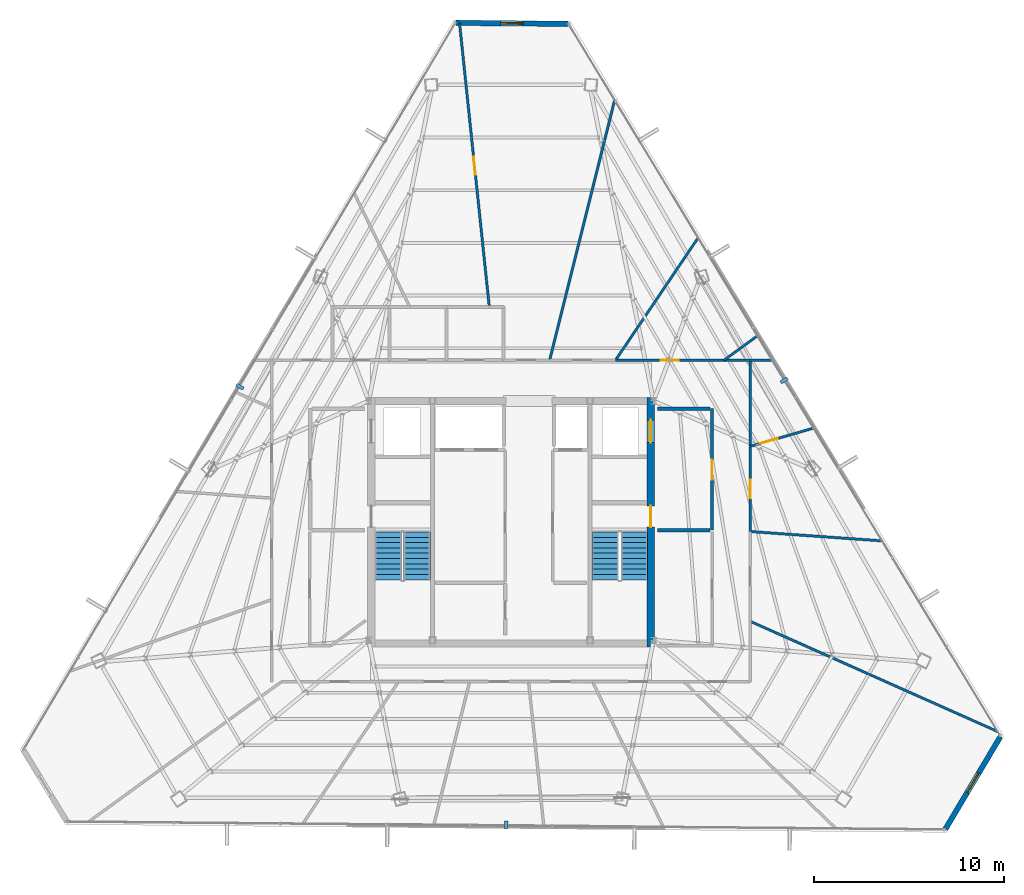
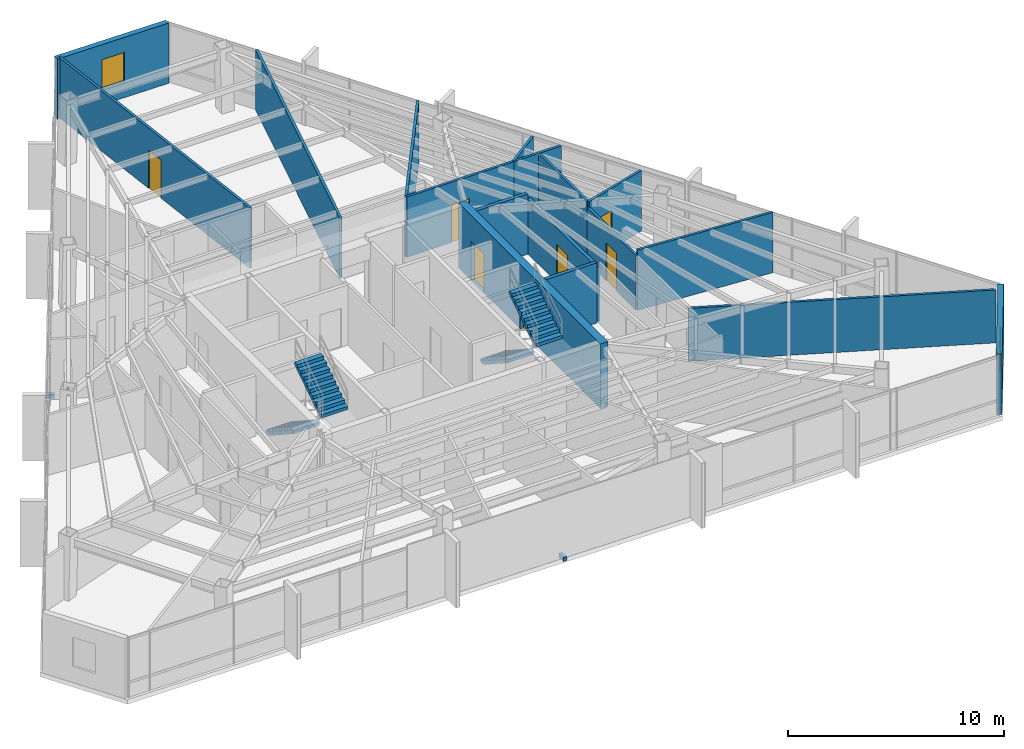
# One storey, part 42 of 45: 17 walls, 7 doors, 4 stair flights, 3 discrete accessories, 2 windows, 9 openings, 2 elements without a shape of their own.
"""IFC4 building model written with IfcOpenShell, lengths in metres."""

from ifc_helpers import new_model, si_unit, direction, frame, frame_2d, origin, origin_2d, place, context, subcontext, project, spatial, polyline, rectangle, outline, extrude, source, transform, mapped, material, layer, layer_set, type_object, type_shapes, element, fill, aggregate, save


model = new_model("IFC4")

# Units and contexts
model_context = context("Model", 3, precision=1e-05, world=origin(), true_north=direction((0.0, 1.0)))
body_context = subcontext(model_context, "Body", "Model", "MODEL_VIEW")
ifc_project = project(units=[si_unit("LENGTHUNIT", "METRE"), si_unit("AREAUNIT", "SQUARE_METRE"), si_unit("VOLUMEUNIT", "CUBIC_METRE"), si_unit("PLANEANGLEUNIT", "RADIAN"), si_unit("MASSUNIT", "GRAM", prefix="KILO")], contexts=[model_context])

# Site, building, storey
site_placement = place(None, origin())
site = spatial("IfcSite", under=ifc_project, at=site_placement, CompositionType="ELEMENT")
building_placement = place(site_placement, origin())
building = spatial("IfcBuilding", under=site, at=building_placement, Name="Caelisora Broadcast Tower", CompositionType="ELEMENT")
storey_placement = place(building_placement, frame((0.0, 0.0, 240.800048828125)))
storey = spatial("IfcBuildingStorey", under=building, at=storey_placement, Name="L63", CompositionType="ELEMENT", Elevation=240.800048828125)

# Wall, openings, doors
ifc_material_1 = material(Name="Concrete 40 MPa (AS 3600 N40)", Category="concrete")
ifc_layer_1 = layer(ifc_material_1, 0.39990234375, Name="Concrete 40 MPa (AS 3600 N40)")
ifc_layer_set_1 = layer_set([ifc_layer_1], Name="Concrete 40 MPa (AS 3600 N40)")
wall_type_1 = type_object("IfcWallType", Name="CW3", PredefinedType="SHEAR", material=ifc_layer_set_1)
wall_1_placement = place(storey_placement, frame((45.360107421875, 17.050048828125, 0.0), z_axis=(0.0, 0.0, 1.0), x_axis=(0.0, 1.0, 0.0)))
wall_1 = element("IfcWall", 1, at=wall_1_placement, inside=storey, type_object=wall_type_1, Name="L63 core shear wall CW3", PredefinedType="SHEAR", context=body_context, shape_type="SweptSolid", body=[
    extrude(rectangle(XDim=13.125, YDim=0.39990234375, at=frame_2d((6.5625, 0.0))), origin(), (0.0, 0.0, 1.0), 3.64990234375),
])
opening_1_placement = place(wall_1_placement, frame((6.300048828125, 0.0, 0.0)))
opening_1 = element("IfcOpeningElement", 2, at=opening_1_placement, cuts=wall_1, Name="Opening FD04", PredefinedType="OPENING", context=body_context, shape_type="SweptSolid", body=[
    extrude(rectangle(XDim=1.1201171875, YDim=2.14990234375, at=frame_2d((0.56005859375, 1.074951171875))), frame((0.0, 0.2119140625, 0.0), z_axis=(0.0, -1.0, 0.0), x_axis=(1.0, 0.0, 0.0)), (0.0, 0.0, 1.0), 0.423828125),
])
opening_2_placement = place(wall_1_placement, frame((10.75, 0.0, 0.0)))
opening_2 = element("IfcOpeningElement", 3, at=opening_2_placement, cuts=wall_1, Name="Opening LD04", PredefinedType="OPENING", context=body_context, shape_type="SweptSolid", body=[
    extrude(rectangle(XDim=1.199951171875, YDim=2.199951171875, at=frame_2d((0.60009765625, 1.10009765625))), frame((0.0, 0.2119140625, 0.0), z_axis=(0.0, -1.0, 0.0), x_axis=(1.0, 0.0, 0.0)), (0.0, 0.0, 1.0), 0.423828125),
])
ifc_material_2 = material(Name="Pressurised Fire-Isolated Stair Door", Category="steel")
door_type_1 = type_object("IfcDoorType", Name="FD04", OperationType="NOTDEFINED", PredefinedType="DOOR", material=ifc_material_2)
door_1_placement = place(opening_1_placement, origin())
door_1 = element("IfcDoor", 4, at=door_1_placement, inside=storey, type_object=door_type_1, Name="L63 door FD04 (L63-DR-ST2)", OperationType="SINGLE_SWING_RIGHT", OverallHeight=2.14990234375, OverallWidth=1.1201171875, PredefinedType="DOOR", context=body_context, shape_type="SweptSolid", body=[
    extrude(rectangle(XDim=1.1201171875, YDim=2.14990234375, at=frame_2d((0.56005859375, 1.074951171875))), frame((0.0, 0.02490234375, 0.0), z_axis=(0.0, -1.0, 0.0), x_axis=(1.0, 0.0, 0.0)), (0.0, 0.0, 1.0), 0.050048828125),
])
fill(opening_1, door_1)
ifc_material_3 = material(Name="Emergency Firefighting Lift Sliding Landing Door", Category="steel")
door_type_2 = type_object("IfcDoorType", Name="LD04", OperationType="NOTDEFINED", PredefinedType="DOOR", material=ifc_material_3)
door_2_placement = place(opening_2_placement, origin())
door_2 = element("IfcDoor", 5, at=door_2_placement, inside=storey, type_object=door_type_2, Name="L63 door LD04 (L63-LD-FFL2)", OperationType="SLIDING_TO_RIGHT", OverallHeight=2.199951171875, OverallWidth=1.199951171875, PredefinedType="DOOR", context=body_context, shape_type="SweptSolid", body=[
    extrude(rectangle(XDim=1.199951171875, YDim=2.199951171875, at=frame_2d((0.60009765625, 1.10009765625))), frame((0.0, 0.02490234375, 0.0), z_axis=(0.0, -1.0, 0.0), x_axis=(1.0, 0.0, 0.0)), (0.0, 0.0, 1.0), 0.050048828125),
])
fill(opening_2, door_2)

# Wall, opening, window
ifc_material_4 = material(Name="Insulated Terracotta Spandrel Wall System", Category="masonry")
ifc_layer_2 = layer(ifc_material_4, 0.280029296875, Name="Insulated Terracotta Spandrel Wall System")
ifc_layer_set_2 = layer_set([ifc_layer_2], Name="Insulated Terracotta Spandrel Wall System")
wall_type_2 = type_object("IfcWallType", Name="EW1", PredefinedType="STANDARD", material=ifc_layer_set_2)
wall_2_placement = place(storey_placement, frame((63.772705078125, 12.315185546875, 0.0), z_axis=(0.0, 0.0, 1.0), x_axis=(-0.511101207507, -0.859520538257, 0.0)))
wall_2 = element("IfcWall", 6, at=wall_2_placement, inside=storey, type_object=wall_type_2, Name="L63 exterior envelope wall EW1", PredefinedType="STANDARD", context=body_context, shape_type="SweptSolid", body=[
    extrude(rectangle(XDim=5.665283203125, YDim=0.280029296875, at=frame_2d((2.83251953125, 0.0))), origin(), (0.0, 0.0, 1.0), 3.39990234375),
])
opening_3_placement = place(wall_2_placement, frame((2.22998046875, 0.0, 0.89990234375)))
opening_3 = element("IfcOpeningElement", 7, at=opening_3_placement, cuts=wall_2, Name="Opening W03", PredefinedType="OPENING", context=body_context, shape_type="SweptSolid", body=[
    extrude(rectangle(XDim=1.199951171875, YDim=1.64990234375, at=frame_2d((0.60009765625, 0.824951171875))), frame((0.0, 0.152099609375, 0.0), z_axis=(0.0, -1.0, 0.0), x_axis=(1.0, 0.0, 0.0)), (0.0, 0.0, 1.0), 0.303955078125),
])
ifc_material_5 = material(Name="Double Glazed Corner Vision Window", Category="glass")
window_type = type_object("IfcWindowType", Name="W03", PartitioningType="SINGLE_PANEL", PredefinedType="WINDOW", material=ifc_material_5)
window_1_placement = place(opening_3_placement, origin())
window_1 = element("IfcWindow", 8, at=window_1_placement, inside=storey, type_object=window_type, Name="L63 window W03 (L63-WN-CH0)", OverallHeight=1.64990234375, OverallWidth=1.199951171875, PartitioningType="SINGLE_PANEL", PredefinedType="WINDOW", context=body_context, shape_type="SweptSolid", body=[
    extrude(rectangle(XDim=1.199951171875, YDim=1.64990234375, at=frame_2d((0.60009765625, 0.824951171875))), frame((0.0, 0.030029296875, 0.0), z_axis=(0.0, -1.0, 0.0), x_axis=(1.0, 0.0, 0.0)), (0.0, 0.0, 1.0), 0.06005859375),
])
fill(opening_3, window_1)

wall_3_placement = place(storey_placement, frame((35.09912109375, 49.916748046875, 0.0), z_axis=(0.0, 0.0, 1.0), x_axis=(0.99996038652, -0.008900864582, 0.0)))
wall_3 = element("IfcWall", 9, at=wall_3_placement, inside=storey, type_object=wall_type_2, Name="L63 exterior envelope wall EW1", PredefinedType="STANDARD", context=body_context, shape_type="SweptSolid", body=[
    extrude(rectangle(XDim=5.897216796875, YDim=0.280029296875, at=frame_2d((2.94873046875, 0.0))), origin(), (0.0, 0.0, 1.0), 3.39990234375),
])
opening_4_placement = place(wall_3_placement, frame((2.35009765625, 0.0, 0.89990234375)))
opening_4 = element("IfcOpeningElement", 10, at=opening_4_placement, cuts=wall_3, Name="Opening W03", PredefinedType="OPENING", context=body_context, shape_type="SweptSolid", body=[
    extrude(rectangle(XDim=1.199951171875, YDim=1.64990234375, at=frame_2d((0.60009765625, 0.824951171875))), frame((0.0, 0.152099609375, 0.0), z_axis=(0.0, -1.0, 0.0), x_axis=(1.0, 0.0, 0.0)), (0.0, 0.0, 1.0), 0.303955078125),
])
window_2_placement = place(opening_4_placement, origin())
window_2 = element("IfcWindow", 11, at=window_2_placement, inside=storey, type_object=window_type, Name="L63 window W03 (L63-WN-CH8)", OverallHeight=1.64990234375, OverallWidth=1.199951171875, PartitioningType="SINGLE_PANEL", PredefinedType="WINDOW", context=body_context, shape_type="SweptSolid", body=[
    extrude(rectangle(XDim=1.199951171875, YDim=1.64990234375, at=frame_2d((0.60009765625, 0.824951171875))), frame((0.0, 0.030029296875, 0.0), z_axis=(0.0, -1.0, 0.0), x_axis=(1.0, 0.0, 0.0)), (0.0, 0.0, 1.0), 0.06005859375),
])
fill(opening_4, window_2)

# Wall, opening, door
ifc_material_6 = material(Name="Fire-Rated Gypsum Shaft and Compartment Wall", Category="gypsum")
ifc_layer_3 = layer(ifc_material_6, 0.179931640625, Name="Fire-Rated Gypsum Shaft and Compartment Wall")
ifc_layer_set_3 = layer_set([ifc_layer_3], Name="Fire-Rated Gypsum Shaft and Compartment Wall")
wall_type_3 = type_object("IfcWallType", Name="PW2", PredefinedType="PARTITIONING", material=ifc_layer_set_3)
wall_4_placement = place(storey_placement, frame((48.580078125, 23.199951171875, 0.0), z_axis=(0.0, 0.0, 1.0), x_axis=(0.0, 1.0, 0.0)))
wall_4 = element("IfcWall", 12, at=wall_4_placement, inside=storey, type_object=wall_type_3, Name="L63 fire compartment wall PW2", PredefinedType="PARTITIONING", context=body_context, shape_type="SweptSolid", body=[
    extrude(rectangle(XDim=6.400146484375, YDim=0.179931640625, at=frame_2d((3.2001953125, 0.0))), origin(), (0.0, 0.0, 1.0), 3.0849609375),
])
opening_5_placement = place(wall_4_placement, frame((2.64990234375, 0.0, 0.0)))
opening_5 = element("IfcOpeningElement", 13, at=opening_5_placement, cuts=wall_4, Name="Opening FD02", PredefinedType="OPENING", context=body_context, shape_type="SweptSolid", body=[
    extrude(rectangle(XDim=1.050048828125, YDim=2.14990234375, at=frame_2d((0.52490234375, 1.074951171875))), frame((0.0, 0.10205078125, 0.0), z_axis=(0.0, -1.0, 0.0), x_axis=(1.0, 0.0, 0.0)), (0.0, 0.0, 1.0), 0.203857421875),
])
ifc_material_7 = material(Name="Single-Leaf Steel Fire Lobby Door", Category="steel")
door_type_3 = type_object("IfcDoorType", Name="FD02", OperationType="NOTDEFINED", PredefinedType="DOOR", material=ifc_material_7)
door_3_placement = place(opening_5_placement, origin())
door_3 = element("IfcDoor", 14, at=door_3_placement, inside=storey, type_object=door_type_3, Name="L63 door FD02 (L63-DR-P04D1)", OperationType="SINGLE_SWING_LEFT", OverallHeight=2.14990234375, OverallWidth=1.050048828125, PredefinedType="DOOR", context=body_context, shape_type="SweptSolid", body=[
    extrude(rectangle(XDim=1.050048828125, YDim=2.14990234375, at=frame_2d((0.52490234375, 1.074951171875))), frame((0.0, 0.02490234375, 0.0), z_axis=(0.0, -1.0, 0.0), x_axis=(1.0, 0.0, 0.0)), (0.0, 0.0, 1.0), 0.050048828125),
])
fill(opening_5, door_3)

# Walls
for number, where, z_axis, x_axis, name in (
    (15, (45.719970703125, 23.199951171875, 0.0), (0.0, 0.0, 1.0), (1.0, 0.0, 0.0), "L63 fire compartment wall PW2"),
    (16, (45.719970703125, 29.60009765625, 0.0), (0.0, 0.0, 1.0), (1.0, 0.0, 0.0), "L63 fire compartment wall PW2"),
):
    element("IfcWall", number, at=place(storey_placement, frame(where, z_axis=z_axis, x_axis=x_axis)), inside=storey, type_object=wall_type_3, Name=name, PredefinedType="PARTITIONING", context=body_context, shape_type="SweptSolid", body=[
        extrude(rectangle(XDim=2.760009765625, YDim=0.179931640625, at=frame_2d((1.3798828125, 0.0))), origin(), (0.0, 0.0, 1.0), 3.39990234375),
    ])

# Wall, opening, door
ifc_material_8 = material(Name="Acoustic Steel-Stud Plasterboard Partition", Category="gypsum")
ifc_layer_4 = layer(ifc_material_8, 0.1298828125, Name="Acoustic Steel-Stud Plasterboard Partition")
ifc_layer_set_4 = layer_set([ifc_layer_4], Name="Acoustic Steel-Stud Plasterboard Partition")
wall_type_4 = type_object("IfcWallType", Name="PW3", PredefinedType="PARTITIONING", material=ifc_layer_set_4)
wall_5_placement = place(storey_placement, frame((35.280517578125, 49.92041015625, 0.0), z_axis=(0.0, 0.0, 1.0), x_axis=(0.104244747086, -0.994551674226, 0.0)))
wall_5 = element("IfcWall", 17, at=wall_5_placement, inside=storey, type_object=wall_type_4, Name="L63 internal partition PW3", PredefinedType="PARTITIONING", context=body_context, shape_type="SweptSolid", body=[
    extrude(rectangle(XDim=15.04736328125, YDim=0.1298828125, at=frame_2d((7.523681640625, 0.0))), origin(), (0.0, 0.0, 1.0), 3.39990234375),
])
opening_6_placement = place(wall_5_placement, frame((7.093994140625, 0.0, 0.0)))
opening_6 = element("IfcOpeningElement", 18, at=opening_6_placement, cuts=wall_5, Name="Opening D01", PredefinedType="OPENING", context=body_context, shape_type="SweptSolid", body=[
    extrude(rectangle(XDim=0.9599609375, YDim=2.14990234375, at=frame_2d((0.47998046875, 1.074951171875))), frame((0.0, 0.076904296875, 0.0), z_axis=(0.0, -1.0, 0.0), x_axis=(1.0, 0.0, 0.0)), (0.0, 0.0, 1.0), 0.15380859375),
])
ifc_material_9 = material(Name="Solid-Core Timber Acoustic Office Door", Category="wood")
door_type_4 = type_object("IfcDoorType", Name="D01", OperationType="NOTDEFINED", PredefinedType="DOOR", material=ifc_material_9)
door_4_placement = place(opening_6_placement, origin())
door_4 = element("IfcDoor", 19, at=door_4_placement, inside=storey, type_object=door_type_4, Name="L63 door D01 (L63-DR-P26D1)", OperationType="SINGLE_SWING_RIGHT", OverallHeight=2.14990234375, OverallWidth=0.9599609375, PredefinedType="DOOR", context=body_context, shape_type="SweptSolid", body=[
    extrude(rectangle(XDim=0.9599609375, YDim=2.14990234375, at=frame_2d((0.47998046875, 1.074951171875))), frame((0.0, 0.02490234375, 0.0), z_axis=(0.0, -1.0, 0.0), x_axis=(1.0, 0.0, 0.0)), (0.0, 0.0, 1.0), 0.050048828125),
])
fill(opening_6, door_4)

# Walls
wall_6_placement = place(storey_placement, frame((50.60498046875, 18.387939453125, 0.0), z_axis=(0.0, 0.0, 1.0), x_axis=(0.913463696919, -0.406920231018, 0.0)))
element("IfcWall", 20, at=wall_6_placement, inside=storey, type_object=wall_type_4, Name="L63 internal partition PW3", PredefinedType="PARTITIONING", context=body_context, shape_type="SweptSolid", body=[
    extrude(rectangle(XDim=14.2822265625, YDim=0.1298828125, at=frame_2d((7.14111328125, 0.0))), origin(), (0.0, 0.0, 1.0), 2.98486328125),
])
wall_7_placement = place(storey_placement, frame((40.031005859375, 32.155029296875, 0.0), z_axis=(0.0, 0.0, 1.0), x_axis=(0.242393363261, 0.970178054507, 0.0)))
element("IfcWall", 21, at=wall_7_placement, inside=storey, type_object=wall_type_4, Name="L63 internal partition PW3", PredefinedType="PARTITIONING", context=body_context, shape_type="SweptSolid", body=[
    extrude(rectangle(XDim=14.133056640625, YDim=0.1298828125, at=frame_2d((7.06640625, 0.0))), origin(), (0.0, 0.0, 1.0), 3.39990234375),
])
wall_8_placement = place(storey_placement, frame((43.5029296875, 32.154052734375, 0.0), z_axis=(0.0, 0.0, 1.0), x_axis=(0.559336089138, 0.82894097461, 0.0)))
element("IfcWall", 22, at=wall_8_placement, inside=storey, type_object=wall_type_4, Name="L63 internal partition PW3", PredefinedType="PARTITIONING", context=body_context, shape_type="SweptSolid", body=[
    extrude(rectangle(XDim=7.787841796875, YDim=0.1298828125, at=frame_2d((3.89404296875, 0.0))), origin(), (0.0, 0.0, 1.0), 3.39990234375),
])
wall_9_placement = place(storey_placement, frame((50.60498046875, 23.1201171875, 0.0), z_axis=(0.0, 0.0, 1.0), x_axis=(0.997503333861, -0.070619394903, 0.0)))
element("IfcWall", 23, at=wall_9_placement, inside=storey, type_object=wall_type_4, Name="L63 internal partition PW3", PredefinedType="PARTITIONING", context=body_context, shape_type="SweptSolid", body=[
    extrude(rectangle(XDim=6.966064453125, YDim=0.1298828125, at=frame_2d((3.48291015625, 0.0))), origin(), (0.0, 0.0, 1.0), 3.39990234375),
])

# Wall, opening, door
wall_10_placement = place(storey_placement, frame((43.5048828125, 32.14990234375, 0.0), z_axis=(0.0, 0.0, 1.0), x_axis=(1.0, 0.0, 0.0)))
wall_10 = element("IfcWall", 24, at=wall_10_placement, inside=storey, type_object=wall_type_4, Name="L63 internal partition PW3", PredefinedType="PARTITIONING", context=body_context, shape_type="SweptSolid", body=[
    extrude(rectangle(XDim=5.710205078125, YDim=0.1298828125, at=frame_2d((2.85498046875, 0.0))), origin(), (0.0, 0.0, 1.0), 3.39990234375),
])
opening_7_placement = place(wall_10_placement, frame((2.375, 0.0, 0.0)))
opening_7 = element("IfcOpeningElement", 25, at=opening_7_placement, cuts=wall_10, Name="Opening D01", PredefinedType="OPENING", context=body_context, shape_type="SweptSolid", body=[
    extrude(rectangle(XDim=0.9599609375, YDim=2.14990234375, at=frame_2d((0.47998046875, 1.074951171875))), frame((0.0, 0.076904296875, 0.0), z_axis=(0.0, -1.0, 0.0), x_axis=(1.0, 0.0, 0.0)), (0.0, 0.0, 1.0), 0.15380859375),
])
door_5_placement = place(opening_7_placement, origin())
door_5 = element("IfcDoor", 26, at=door_5_placement, inside=storey, type_object=door_type_4, Name="L63 door D01 (L63-DR-P44D1)", OperationType="SINGLE_SWING_RIGHT", OverallHeight=2.14990234375, OverallWidth=0.9599609375, PredefinedType="DOOR", context=body_context, shape_type="SweptSolid", body=[
    extrude(rectangle(XDim=0.9599609375, YDim=2.14990234375, at=frame_2d((0.47998046875, 1.074951171875))), frame((0.0, 0.02490234375, 0.0), z_axis=(0.0, -1.0, 0.0), x_axis=(1.0, 0.0, 0.0)), (0.0, 0.0, 1.0), 0.050048828125),
])
fill(opening_7, door_5)

# Wall
wall_11_placement = place(storey_placement, frame((50.60009765625, 27.614990234375, 0.0), z_axis=(0.0, 0.0, 1.0), x_axis=(0.0, 1.0, 0.0)))
element("IfcWall", 27, at=wall_11_placement, inside=storey, type_object=wall_type_4, Name="L63 internal partition PW3", PredefinedType="PARTITIONING", context=body_context, shape_type="SweptSolid", body=[
    extrude(rectangle(XDim=4.530029296875, YDim=0.1298828125, at=frame_2d((2.26513671875, 0.0))), origin(), (0.0, 0.0, 1.0), 3.39990234375),
])

# Wall, opening, door
wall_12_placement = place(storey_placement, frame((50.60009765625, 23.125, 0.0), z_axis=(0.0, 0.0, 1.0), x_axis=(0.0, 1.0, 0.0)))
wall_12 = element("IfcWall", 28, at=wall_12_placement, inside=storey, type_object=wall_type_4, Name="L63 internal partition PW3", PredefinedType="PARTITIONING", context=body_context, shape_type="SweptSolid", body=[
    extrude(rectangle(XDim=4.47998046875, YDim=0.1298828125, at=frame_2d((2.239990234375, 0.0))), origin(), (0.0, 0.0, 1.0), 3.0849609375),
])
opening_8_placement = place(wall_12_placement, frame((1.760009765625, 0.0, 0.0)))
opening_8 = element("IfcOpeningElement", 29, at=opening_8_placement, cuts=wall_12, Name="Opening D01", PredefinedType="OPENING", context=body_context, shape_type="SweptSolid", body=[
    extrude(rectangle(XDim=0.9599609375, YDim=2.14990234375, at=frame_2d((0.47998046875, 1.074951171875))), frame((0.0, 0.076904296875, 0.0), z_axis=(0.0, -1.0, 0.0), x_axis=(1.0, 0.0, 0.0)), (0.0, 0.0, 1.0), 0.15380859375),
])
door_6_placement = place(opening_8_placement, origin())
door_6 = element("IfcDoor", 30, at=door_6_placement, inside=storey, type_object=door_type_4, Name="L63 door D01 (L63-DR-P51D1)", OperationType="SINGLE_SWING_LEFT", OverallHeight=2.14990234375, OverallWidth=0.9599609375, PredefinedType="DOOR", context=body_context, shape_type="SweptSolid", body=[
    extrude(rectangle(XDim=0.9599609375, YDim=2.14990234375, at=frame_2d((0.47998046875, 1.074951171875))), frame((0.0, 0.02490234375, 0.0), z_axis=(0.0, -1.0, 0.0), x_axis=(1.0, 0.0, 0.0)), (0.0, 0.0, 1.0), 0.050048828125),
])
fill(opening_8, door_6)

wall_13_placement = place(storey_placement, frame((50.60498046875, 27.611083984375, 0.0), z_axis=(0.0, 0.0, 1.0), x_axis=(0.960973714416, 0.276639693829, 0.0)))
wall_13 = element("IfcWall", 31, at=wall_13_placement, inside=storey, type_object=wall_type_4, Name="L63 internal partition PW3", PredefinedType="PARTITIONING", context=body_context, shape_type="SweptSolid", body=[
    extrude(rectangle(XDim=3.47802734375, YDim=0.1298828125, at=frame_2d((1.739013671875, 0.0))), origin(), (0.0, 0.0, 1.0), 3.39990234375),
])
opening_9_placement = place(wall_13_placement, frame((0.5400390625, 0.0, 0.0)))
opening_9 = element("IfcOpeningElement", 32, at=opening_9_placement, cuts=wall_13, Name="Opening D01", PredefinedType="OPENING", context=body_context, shape_type="SweptSolid", body=[
    extrude(rectangle(XDim=0.9599609375, YDim=2.14990234375, at=frame_2d((0.47998046875, 1.074951171875))), frame((0.0, 0.076904296875, 0.0), z_axis=(0.0, -1.0, 0.0), x_axis=(1.0, 0.0, 0.0)), (0.0, 0.0, 1.0), 0.15380859375),
])
door_7_placement = place(opening_9_placement, origin())
door_7 = element("IfcDoor", 33, at=door_7_placement, inside=storey, type_object=door_type_4, Name="L63 door D01 (L63-DR-P54D1)", OperationType="SINGLE_SWING_RIGHT", OverallHeight=2.14990234375, OverallWidth=0.9599609375, PredefinedType="DOOR", context=body_context, shape_type="SweptSolid", body=[
    extrude(rectangle(XDim=0.9599609375, YDim=2.14990234375, at=frame_2d((0.47998046875, 1.074951171875))), frame((0.0, 0.02490234375, 0.0), z_axis=(0.0, -1.0, 0.0), x_axis=(1.0, 0.0, 0.0)), (0.0, 0.0, 1.0), 0.050048828125),
])
fill(opening_9, door_7)

# Walls
wall_14_placement = place(storey_placement, frame((49.22412109375, 32.153076171875, 0.0), z_axis=(0.0, 0.0, 1.0), x_axis=(0.807799558399, 0.58945727025, 0.0)))
element("IfcWall", 34, at=wall_14_placement, inside=storey, type_object=wall_type_4, Name="L63 internal partition PW3", PredefinedType="PARTITIONING", context=body_context, shape_type="SweptSolid", body=[
    extrude(rectangle(XDim=2.189453125, YDim=0.1298828125, at=frame_2d((1.0947265625, 0.0))), origin(), (0.0, 0.0, 1.0), 3.39990234375),
])
wall_15_placement = place(storey_placement, frame((51.751708984375, 32.14990234375, 0.0), z_axis=(0.0, 0.0, 1.0), x_axis=(-1.0, 0.0, 0.0)))
element("IfcWall", 35, at=wall_15_placement, inside=storey, type_object=wall_type_4, Name="L63 internal partition PW3", PredefinedType="PARTITIONING", context=body_context, shape_type="SweptSolid", body=[
    extrude(rectangle(XDim=2.526611328125, YDim=0.1298828125, at=frame_2d((1.26318359375, 0.0))), origin(), (0.0, 0.0, 1.0), 3.39990234375),
])

# Stair, stair flights
stair_type_1 = type_object("IfcStairType", Name="ST-1", PredefinedType="HALF_TURN_STAIR", material=ifc_material_1)
stair_1_placement = place(storey_placement, origin())
stair_1 = element("IfcStair", 36, at=stair_1_placement, inside=storey, type_object=stair_type_1, Name="L63 West Fire-Isolated Tower Stair", PredefinedType="HALF_TURN_STAIR")
stair_flight_type = type_object("IfcStairFlightType", Name="STF-4", PredefinedType="STRAIGHT", material=ifc_material_1)
stair_flight_1_placement = place(storey_placement, frame((31.52001953125, 23.10009765625, 0.0), z_axis=(0.0, 0.0, 1.0), x_axis=(0.0, -1.0, 0.0)))
stair_flight_1 = element("IfcStairFlight", 37, at=stair_flight_1_placement, type_object=stair_flight_type, Name="ST-1 flight 1", NumberOfRisers=10, NumberOfTreads=9, PredefinedType="STRAIGHT", RiserHeight=0.1825, TreadLength=0.28, context=body_context, shape_type="SweptSolid", body=[
    extrude(outline(polyline([(0.0, 0.0), (0.0, 0.1826171875), (0.280029296875, 0.1826171875), (0.280029296875, 0.364990234375), (0.56005859375, 0.364990234375), (0.56005859375, 0.547607421875), (0.840087890625, 0.547607421875), (0.840087890625, 0.72998046875), (1.1201171875, 0.72998046875), (1.1201171875, 0.91259765625), (1.39990234375, 0.91259765625), (1.39990234375, 1.094970703125), (1.679931640625, 1.094970703125), (1.679931640625, 1.277587890625), (1.9599609375, 1.277587890625), (1.9599609375, 1.4599609375), (2.239990234375, 1.4599609375), (2.239990234375, 1.642578125), (2.52001953125, 1.642578125), (2.52001953125, 1.824951171875), (2.52001953125, 1.463623046875), (0.2744140625, 0.0), (0.0, 0.0)])), frame((0.0, 0.699951171875, 0.0), z_axis=(0.0, -1.0, 0.0), x_axis=(1.0, 0.0, 0.0)), (0.0, 0.0, 1.0), 1.39990234375),
])
stair_flight_2_placement = place(storey_placement, frame((33.0400390625, 20.580078125, 1.824951171875), z_axis=(0.0, 0.0, 1.0), x_axis=(0.0, 1.0, 0.0)))
stair_flight_2 = element("IfcStairFlight", 38, at=stair_flight_2_placement, type_object=stair_flight_type, Name="ST-1 flight 2", NumberOfRisers=10, NumberOfTreads=9, PredefinedType="STRAIGHT", RiserHeight=0.1825, TreadLength=0.28, context=body_context, shape_type="SweptSolid", body=[
    extrude(outline(polyline([(0.0, 0.0), (0.0, 0.1826171875), (0.280029296875, 0.1826171875), (0.280029296875, 0.364990234375), (0.56005859375, 0.364990234375), (0.56005859375, 0.547607421875), (0.840087890625, 0.547607421875), (0.840087890625, 0.72998046875), (1.1201171875, 0.72998046875), (1.1201171875, 0.91259765625), (1.39990234375, 0.91259765625), (1.39990234375, 1.094970703125), (1.679931640625, 1.094970703125), (1.679931640625, 1.277587890625), (1.9599609375, 1.277587890625), (1.9599609375, 1.4599609375), (2.239990234375, 1.4599609375), (2.239990234375, 1.642578125), (2.52001953125, 1.642578125), (2.52001953125, 1.824951171875), (2.52001953125, 1.463623046875), (0.2744140625, 0.0), (0.0, 0.0)])), frame((0.0, 0.699951171875, 0.0), z_axis=(0.0, -1.0, 0.0), x_axis=(1.0, 0.0, 0.0)), (0.0, 0.0, 1.0), 1.39990234375),
])
aggregate(stair_1, [stair_flight_1, stair_flight_2])

stair_type_2 = type_object("IfcStairType", Name="ST-2", PredefinedType="HALF_TURN_STAIR", material=ifc_material_1)
stair_2_placement = place(storey_placement, origin())
stair_2 = element("IfcStair", 39, at=stair_2_placement, inside=storey, type_object=stair_type_2, Name="L63 East Fire-Isolated Tower Stair", PredefinedType="HALF_TURN_STAIR")
stair_flight_3_placement = place(storey_placement, frame((42.9599609375, 23.10009765625, 0.0), z_axis=(0.0, 0.0, 1.0), x_axis=(0.0, -1.0, 0.0)))
stair_flight_3 = element("IfcStairFlight", 40, at=stair_flight_3_placement, type_object=stair_flight_type, Name="ST-2 flight 1", NumberOfRisers=10, NumberOfTreads=9, PredefinedType="STRAIGHT", RiserHeight=0.1825, TreadLength=0.28, context=body_context, shape_type="SweptSolid", body=[
    extrude(outline(polyline([(0.0, 0.0), (0.0, 0.1826171875), (0.280029296875, 0.1826171875), (0.280029296875, 0.364990234375), (0.56005859375, 0.364990234375), (0.56005859375, 0.547607421875), (0.840087890625, 0.547607421875), (0.840087890625, 0.72998046875), (1.1201171875, 0.72998046875), (1.1201171875, 0.91259765625), (1.39990234375, 0.91259765625), (1.39990234375, 1.094970703125), (1.679931640625, 1.094970703125), (1.679931640625, 1.277587890625), (1.9599609375, 1.277587890625), (1.9599609375, 1.4599609375), (2.239990234375, 1.4599609375), (2.239990234375, 1.642578125), (2.52001953125, 1.642578125), (2.52001953125, 1.824951171875), (2.52001953125, 1.463623046875), (0.2744140625, 0.0), (0.0, 0.0)])), frame((0.0, 0.699951171875, 0.0), z_axis=(0.0, -1.0, 0.0), x_axis=(1.0, 0.0, 0.0)), (0.0, 0.0, 1.0), 1.39990234375),
])
stair_flight_4_placement = place(storey_placement, frame((44.47998046875, 20.580078125, 1.824951171875), z_axis=(0.0, 0.0, 1.0), x_axis=(0.0, 1.0, 0.0)))
stair_flight_4 = element("IfcStairFlight", 41, at=stair_flight_4_placement, type_object=stair_flight_type, Name="ST-2 flight 2", NumberOfRisers=10, NumberOfTreads=9, PredefinedType="STRAIGHT", RiserHeight=0.1825, TreadLength=0.28, context=body_context, shape_type="SweptSolid", body=[
    extrude(outline(polyline([(0.0, 0.0), (0.0, 0.1826171875), (0.280029296875, 0.1826171875), (0.280029296875, 0.364990234375), (0.56005859375, 0.364990234375), (0.56005859375, 0.547607421875), (0.840087890625, 0.547607421875), (0.840087890625, 0.72998046875), (1.1201171875, 0.72998046875), (1.1201171875, 0.91259765625), (1.39990234375, 0.91259765625), (1.39990234375, 1.094970703125), (1.679931640625, 1.094970703125), (1.679931640625, 1.277587890625), (1.9599609375, 1.277587890625), (1.9599609375, 1.4599609375), (2.239990234375, 1.4599609375), (2.239990234375, 1.642578125), (2.52001953125, 1.642578125), (2.52001953125, 1.824951171875), (2.52001953125, 1.463623046875), (0.2744140625, 0.0), (0.0, 0.0)])), frame((0.0, 0.699951171875, 0.0), z_axis=(0.0, -1.0, 0.0), x_axis=(1.0, 0.0, 0.0)), (0.0, 0.0, 1.0), 1.39990234375),
])
aggregate(stair_2, [stair_flight_3, stair_flight_4])

# Discrete accessories
ifc_material_10 = material(Name="Steel Grade 350 (AS/NZS 3679.1)", Category="steel")
discrete_accessory_type = type_object("IfcDiscreteAccessoryType", Name="BRK-1", PredefinedType="BRACKET", material=ifc_material_10)
shared_shape = source(origin(), body_context, "Body", "SweptSolid", [
    extrude(rectangle(XDim=0.179931640625, YDim=0.419921875, at=origin_2d()), origin(), (0.0, 0.0, 1.0), 0.219970703125),
])
type_shapes(discrete_accessory_type, [shared_shape])
for number, where, z_axis, x_axis, name in (
    (42, (23.710693359375, 30.75, -0.16015625), (0.0, 0.0, 1.0), (-0.510993065504, -0.859584834096, 0.0), "L63 solar screen outrigger bracket #1"),
    (43, (37.731201171875, 7.657470703125, -0.16015625), (0.0, 0.0, 1.0), (0.999960384766, -0.008901061644, 0.0), "L63 solar screen outrigger bracket #2"),
    (44, (52.383056640625, 31.083984375, -0.16015625), (0.0, 0.0, 1.0), (-0.51862403999, 0.855002400666, 0.0), "L63 solar screen outrigger bracket #3"),
):
    element("IfcDiscreteAccessory", number, at=place(storey_placement, frame(where, z_axis=z_axis, x_axis=x_axis)), inside=storey, type_object=discrete_accessory_type, Name=name, PredefinedType="BRACKET", context=body_context, shape_type="MappedRepresentation", body=[
        mapped(shared_shape, transform((0.0, 0.0, 0.0), scale=1.0)),
    ])

save(model, "model.ifc")
